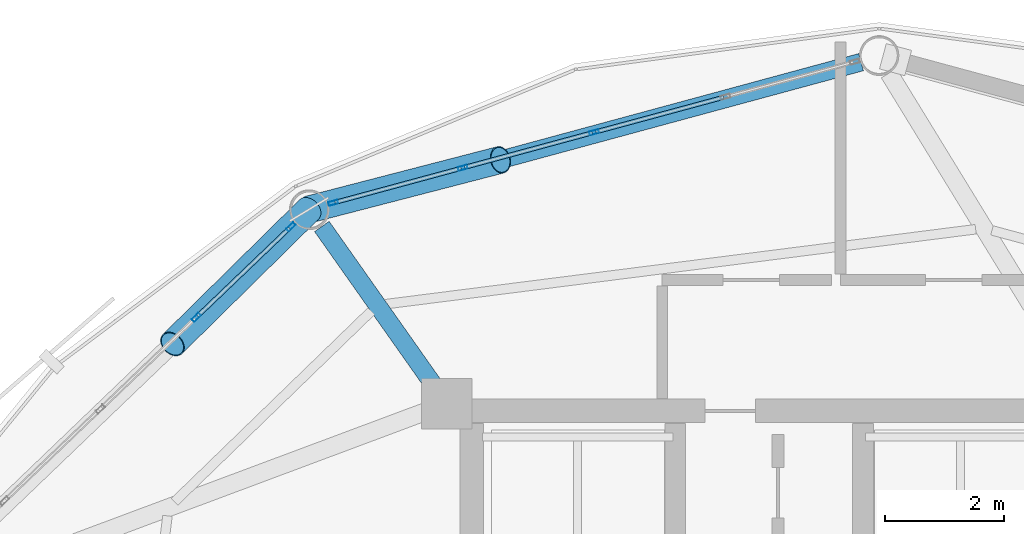
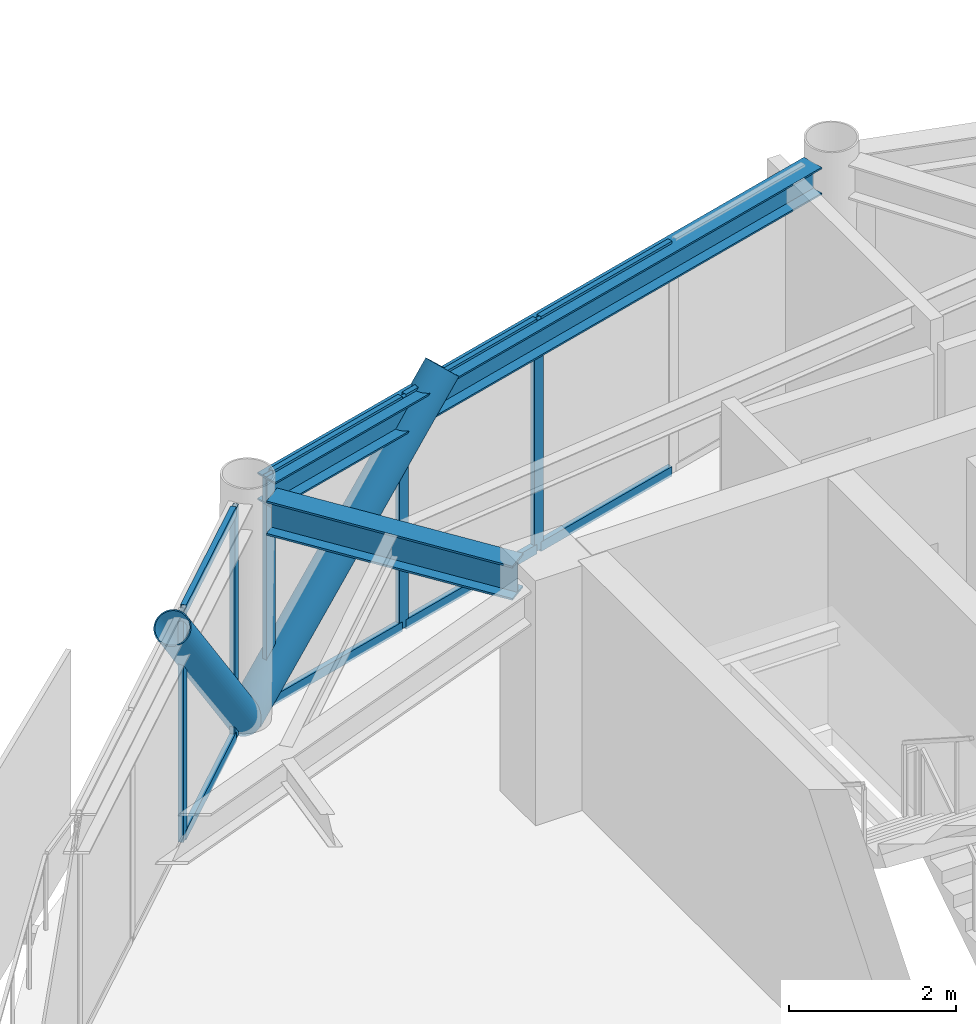
# One storey, part 18 of 28: 15 members, 2 beams, 2 elements without a shape of their own.
"""IFC4 building model written with IfcOpenShell, lengths in metres."""

from ifc_helpers import new_model, si_unit, direction, frame, origin, origin_2d, place, context, subcontext, project, spatial, hollow_rectangle, hollow_circle, i_section, extrude, material, layer, layer_set, material_profile, profile_set, type_object, element, aggregate, save


model = new_model("IFC4")

# Units and contexts
model_context = context("Model", 3, precision=1e-05, world=origin(), true_north=direction((0.0, 1.0)))
body_context = subcontext(model_context, "Body", "Model", "MODEL_VIEW")
ifc_project = project(units=[si_unit("LENGTHUNIT", "METRE"), si_unit("AREAUNIT", "SQUARE_METRE"), si_unit("VOLUMEUNIT", "CUBIC_METRE"), si_unit("PLANEANGLEUNIT", "RADIAN"), si_unit("MASSUNIT", "GRAM", prefix="KILO")], contexts=[model_context])

# Site, building, storey
site_placement = place(None, origin())
site = spatial("IfcSite", under=ifc_project, at=site_placement, CompositionType="ELEMENT")
building_placement = place(site_placement, origin())
building = spatial("IfcBuilding", under=site, at=building_placement, Name="Varnakorn Sky Granary", CompositionType="ELEMENT")
storey_placement = place(building_placement, frame((0.0, 0.0, 204.0)))
storey = spatial("IfcBuildingStorey", under=building, at=storey_placement, Name="L51", CompositionType="ELEMENT", Elevation=204.0)

# Beams
ifc_material_1 = material(Name="Steel S355JR", Category="steel")
ifc_material_profile_1 = material_profile(ifc_material_1, i_section(OverallWidth=0.300048828125, OverallDepth=0.5, WebThickness=0.014404296875, FlangeThickness=0.028076171875, at=origin_2d()), Name="HE 500 B")
ifc_profile_set_1 = profile_set([ifc_material_profile_1], Name="Steel S355JR")
beam_type_1 = type_object("IfcBeamType", Name="BM-RAD-Z4", PredefinedType="BEAM", material=ifc_profile_set_1)
beam_1_placement = place(storey_placement, frame((-2.6533203125, 12.950927734375, 3.110107421875), z_axis=(-0.576274986307, 0.817255859665, 0.0), x_axis=(-0.817255859665, -0.576274986307, 0.0)))
element("IfcBeam", 1, at=beam_1_placement, inside=storey, type_object=beam_type_1, Name="Radial Floor Girder RG05 L51", PredefinedType="BEAM", context=body_context, shape_type="SweptSolid", body=[
    extrude(i_section(OverallWidth=0.300048828125, OverallDepth=0.5, WebThickness=0.014404296875, FlangeThickness=0.028076171875, at=origin_2d()), origin(), (0.0, 0.0, 1.0), 3.240966796875),
])
ifc_material_profile_2 = material_profile(ifc_material_1, i_section(OverallWidth=0.300048828125, OverallDepth=0.39990234375, WebThickness=0.013427734375, FlangeThickness=0.02392578125, at=origin_2d()), Name="HE 400 B")
ifc_profile_set_2 = profile_set([ifc_material_profile_2], Name="Steel S355JR")
beam_type_2 = type_object("IfcBeamType", Name="BM-SPD-Z4", PredefinedType="SPANDREL", material=ifc_profile_set_2)
beam_2_placement = place(storey_placement, frame((4.5458984375, 18.362548828125, 3.159912109375), z_axis=(-0.965201438715, -0.261507519399, 0.0), x_axis=(0.261507519399, -0.965201438715, 0.0)))
element("IfcBeam", 2, at=beam_2_placement, inside=storey, type_object=beam_type_2, Name="Perimeter Spandrel Ring Beam RB04 L51", PredefinedType="SPANDREL", context=body_context, shape_type="SweptSolid", body=[
    extrude(i_section(OverallWidth=0.300048828125, OverallDepth=0.39990234375, WebThickness=0.013427734375, FlangeThickness=0.02392578125, at=origin_2d()), origin(), (0.0, 0.0, 1.0), 9.266845703125),
])

# Curtain wall, members
ifc_material_2 = material(Name="Anodised Bronze Aluminium Alloy 6063-T6", Category="aluminium")
ifc_layer = layer(ifc_material_2, 0.169921875, Name="Anodised Bronze Aluminium Alloy 6063-T6")
ifc_layer_set = layer_set([ifc_layer], Name="Anodised Bronze Aluminium Alloy 6063-T6")
curtain_wall_type = type_object("IfcCurtainWallType", Name="CW-LAB-1", PredefinedType="USERDEFINED", material=ifc_layer_set)
curtain_wall_1_placement = place(storey_placement, origin())
curtain_wall_1 = element("IfcCurtainWall", 3, at=curtain_wall_1_placement, inside=storey, type_object=curtain_wall_type, Name="Unitised Curtain Wall CW5 CW-L51-B04", ObjectType="CURTAIN WALL", PredefinedType="USERDEFINED")
ifc_material_profile_3 = material_profile(ifc_material_2, hollow_rectangle(XDim=0.06494140625, YDim=0.159912109375, WallThickness=0.00341796875, at=origin_2d()), Name="ALU MULL 65x160")
ifc_profile_set_3 = profile_set([ifc_material_profile_3], Name="Anodised Bronze Aluminium Alloy 6063-T6")
member_type_1 = type_object("IfcMemberType", Name="CW-LAB-1-MULL", PredefinedType="MULLION", material=ifc_profile_set_3)
member_1_placement = place(storey_placement, frame((-4.32861328125, 15.99658203125, 0.0), z_axis=(0.0, 0.0, 1.0), x_axis=(-0.261068663342, 0.965320233405, 0.0)))
member_1 = element("IfcMember", 4, at=member_1_placement, type_object=member_type_1, Name="CW5 mullion 1", PredefinedType="MULLION", context=body_context, shape_type="SweptSolid", body=[
    extrude(hollow_rectangle(XDim=0.06494140625, YDim=0.159912109375, WallThickness=0.00341796875, at=origin_2d()), origin(), (0.0, 0.0, 1.0), 3.360107421875),
])
member_2_placement = place(storey_placement, frame((-2.151611328125, 16.58544921875, 0.0), z_axis=(0.0, 0.0, 1.0), x_axis=(-0.261068663342, 0.965320233405, 0.0)))
member_2 = element("IfcMember", 5, at=member_2_placement, type_object=member_type_1, Name="CW5 mullion 2", PredefinedType="MULLION", context=body_context, shape_type="SweptSolid", body=[
    extrude(hollow_rectangle(XDim=0.06494140625, YDim=0.159912109375, WallThickness=0.00341796875, at=origin_2d()), origin(), (0.0, 0.0, 1.0), 3.360107421875),
])
member_3_placement = place(storey_placement, frame((0.056640625, 17.1826171875, 0.0), z_axis=(0.0, 0.0, 1.0), x_axis=(-0.261068663342, 0.965320233405, 0.0)))
member_3 = element("IfcMember", 6, at=member_3_placement, type_object=member_type_1, Name="CW5 mullion 3", PredefinedType="MULLION", context=body_context, shape_type="SweptSolid", body=[
    extrude(hollow_rectangle(XDim=0.06494140625, YDim=0.159912109375, WallThickness=0.00341796875, at=origin_2d()), origin(), (0.0, 0.0, 1.0), 3.360107421875),
])

curtain_wall_2_placement = place(storey_placement, origin())
curtain_wall_2 = element("IfcCurtainWall", 7, at=curtain_wall_2_placement, inside=storey, type_object=curtain_wall_type, Name="Unitised Curtain Wall CW5 CW-L51-B05", ObjectType="CURTAIN WALL", PredefinedType="USERDEFINED")
member_4_placement = place(storey_placement, frame((-6.6318359375, 14.072998046875, 0.0), z_axis=(0.0, 0.0, 1.0), x_axis=(-0.691317195735, 0.722551406393, 0.0)))
member_4 = element("IfcMember", 8, at=member_4_placement, type_object=member_type_1, Name="CW5 mullion 4", PredefinedType="MULLION", context=body_context, shape_type="SweptSolid", body=[
    extrude(hollow_rectangle(XDim=0.06494140625, YDim=0.159912109375, WallThickness=0.00341796875, at=origin_2d()), origin(), (0.0, 0.0, 1.0), 3.360107421875),
])
member_5_placement = place(storey_placement, frame((-5.041748046875, 15.59423828125, 0.0), z_axis=(0.0, 0.0, 1.0), x_axis=(-0.691317195735, 0.722551406393, 0.0)))
member_5 = element("IfcMember", 9, at=member_5_placement, type_object=member_type_1, Name="CW5 mullion 5", PredefinedType="MULLION", context=body_context, shape_type="SweptSolid", body=[
    extrude(hollow_rectangle(XDim=0.06494140625, YDim=0.159912109375, WallThickness=0.00341796875, at=origin_2d()), origin(), (0.0, 0.0, 1.0), 3.360107421875),
])

# Member
ifc_material_profile_4 = material_profile(ifc_material_2, hollow_rectangle(XDim=0.070068359375, YDim=0.139892578125, WallThickness=0.00341796875, at=origin_2d()), Name="ALU TRAN 70x140")
ifc_profile_set_4 = profile_set([ifc_material_profile_4], Name="Anodised Bronze Aluminium Alloy 6063-T6")
member_type_2 = type_object("IfcMemberType", Name="CW-LAB-1-TRAN", PredefinedType="USERDEFINED", material=ifc_profile_set_4)
member_6_placement = place(storey_placement, frame((-4.29736328125, 16.005126953125, 0.034912109375), z_axis=(0.965322405416, 0.261060632042, 0.0), x_axis=(-0.261060632042, 0.965322405416, 0.0)))
member_6 = element("IfcMember", 10, at=member_6_placement, type_object=member_type_2, Name="CW5 transom 1.1", ObjectType="TRANSOM", PredefinedType="USERDEFINED", context=body_context, shape_type="SweptSolid", body=[
    extrude(hollow_rectangle(XDim=0.070068359375, YDim=0.139892578125, WallThickness=0.00341796875, at=origin_2d()), origin(), (0.0, 0.0, 1.0), 2.190185546875),
])

member_7_placement = place(storey_placement, frame((-4.29736328125, 16.005126953125, 3.324951171875), z_axis=(0.965322405416, 0.261060632042, 0.0), x_axis=(-0.261060632042, 0.965322405416, 0.0)))
member_7 = element("IfcMember", 11, at=member_7_placement, type_object=member_type_2, Name="CW5 transom 1.2", ObjectType="TRANSOM", PredefinedType="USERDEFINED", context=body_context, shape_type="SweptSolid", body=[
    extrude(hollow_rectangle(XDim=0.070068359375, YDim=0.139892578125, WallThickness=0.00341796875, at=origin_2d()), origin(), (0.0, 0.0, 1.0), 2.190185546875),
])

member_8_placement = place(storey_placement, frame((-2.120361328125, 16.593994140625, 0.034912109375), z_axis=(0.965319266725, 0.261072237684, 0.0), x_axis=(-0.261072237684, 0.965319266725, 0.0)))
member_8 = element("IfcMember", 12, at=member_8_placement, type_object=member_type_2, Name="CW5 transom 2.1", ObjectType="TRANSOM", PredefinedType="USERDEFINED", context=body_context, shape_type="SweptSolid", body=[
    extrude(hollow_rectangle(XDim=0.070068359375, YDim=0.139892578125, WallThickness=0.00341796875, at=origin_2d()), origin(), (0.0, 0.0, 1.0), 2.222900390625),
])

member_9_placement = place(storey_placement, frame((-2.120361328125, 16.593994140625, 3.324951171875), z_axis=(0.965319266725, 0.261072237684, 0.0), x_axis=(-0.261072237684, 0.965319266725, 0.0)))
member_9 = element("IfcMember", 13, at=member_9_placement, type_object=member_type_2, Name="CW5 transom 2.2", ObjectType="TRANSOM", PredefinedType="USERDEFINED", context=body_context, shape_type="SweptSolid", body=[
    extrude(hollow_rectangle(XDim=0.070068359375, YDim=0.139892578125, WallThickness=0.00341796875, at=origin_2d()), origin(), (0.0, 0.0, 1.0), 2.222900390625),
])

member_10_placement = place(storey_placement, frame((0.088134765625, 17.191162109375, 0.034912109375), z_axis=(0.965311779481, 0.261099920326, 0.0), x_axis=(-0.261099920326, 0.965311779481, 0.0)))
member_10 = element("IfcMember", 14, at=member_10_placement, type_object=member_type_2, Name="CW5 transom 3.1", ObjectType="TRANSOM", PredefinedType="USERDEFINED", context=body_context, shape_type="SweptSolid", body=[
    extrude(hollow_rectangle(XDim=0.070068359375, YDim=0.139892578125, WallThickness=0.00341796875, at=origin_2d()), origin(), (0.0, 0.0, 1.0), 2.22265625),
])

member_11_placement = place(storey_placement, frame((0.088134765625, 17.191162109375, 3.324951171875), z_axis=(0.965311779481, 0.261099920326, 0.0), x_axis=(-0.261099920326, 0.965311779481, 0.0)))
member_11 = element("IfcMember", 15, at=member_11_placement, type_object=member_type_2, Name="CW5 transom 3.2", ObjectType="TRANSOM", PredefinedType="USERDEFINED", context=body_context, shape_type="SweptSolid", body=[
    extrude(hollow_rectangle(XDim=0.070068359375, YDim=0.139892578125, WallThickness=0.00341796875, at=origin_2d()), origin(), (0.0, 0.0, 1.0), 2.22265625),
])

aggregate(curtain_wall_1, [member_1, member_2, member_3, member_6, member_7, member_8, member_9, member_10, member_11])

member_12_placement = place(storey_placement, frame((-6.6083984375, 14.095458984375, 0.034912109375), z_axis=(0.722594684386, 0.691271959577, 0.0), x_axis=(-0.691271959577, 0.722594684386, 0.0)))
member_12 = element("IfcMember", 16, at=member_12_placement, type_object=member_type_2, Name="CW5 transom 4.1", ObjectType="TRANSOM", PredefinedType="USERDEFINED", context=body_context, shape_type="SweptSolid", body=[
    extrude(hollow_rectangle(XDim=0.070068359375, YDim=0.139892578125, WallThickness=0.00341796875, at=origin_2d()), origin(), (0.0, 0.0, 1.0), 2.1357421875),
])

member_13_placement = place(storey_placement, frame((-6.6083984375, 14.095458984375, 3.324951171875), z_axis=(0.722594684386, 0.691271959577, 0.0), x_axis=(-0.691271959577, 0.722594684386, 0.0)))
member_13 = element("IfcMember", 17, at=member_13_placement, type_object=member_type_2, Name="CW5 transom 4.2", ObjectType="TRANSOM", PredefinedType="USERDEFINED", context=body_context, shape_type="SweptSolid", body=[
    extrude(hollow_rectangle(XDim=0.070068359375, YDim=0.139892578125, WallThickness=0.00341796875, at=origin_2d()), origin(), (0.0, 0.0, 1.0), 2.1357421875),
])

aggregate(curtain_wall_2, [member_4, member_5, member_12, member_13])

# Members
ifc_material_3 = material(Name="Steel S460M", Category="steel")
ifc_material_profile_5 = material_profile(ifc_material_3, hollow_circle(Radius=0.228515625, WallThickness=0.01611328125, at=origin_2d()), Name="CHS 457x16")
ifc_profile_set_5 = profile_set([ifc_material_profile_5], Name="Steel S460M")
member_type_3 = type_object("IfcMemberType", Name="MB-DIAG-T3", PredefinedType="BRACE", material=ifc_profile_set_5)
member_14_placement = place(storey_placement, frame((-4.736572265625, 15.886474609375, 0.0), z_axis=(0.667707226274, 0.172827875592, 0.724083962949), x_axis=(-0.250579831975, 0.968095939361, 0.0)))
element("IfcMember", 18, at=member_14_placement, inside=storey, type_object=member_type_3, Name="Perimeter CHS Diagrid Brace DG04 L51", PredefinedType="BRACE", context=body_context, shape_type="SweptSolid", body=[
    extrude(hollow_circle(Radius=0.228515625, WallThickness=0.01611328125, at=origin_2d()), origin(), (0.0, 0.0, 1.0), 4.81982421875),
])
member_15_placement = place(storey_placement, frame((-4.736572265625, 15.886474609375, 0.0), z_axis=(-0.483366530218, -0.47637908888, 0.734452014187), x_axis=(0.701940077194, -0.71223600585, 0.0)))
element("IfcMember", 19, at=member_15_placement, inside=storey, type_object=member_type_3, Name="Perimeter CHS Diagrid Brace DG05 L51", PredefinedType="BRACE", context=body_context, shape_type="SweptSolid", body=[
    extrude(hollow_circle(Radius=0.228515625, WallThickness=0.01611328125, at=origin_2d()), origin(), (0.0, 0.0, 1.0), 4.751708984375),
])

save(model, "model.ifc")
